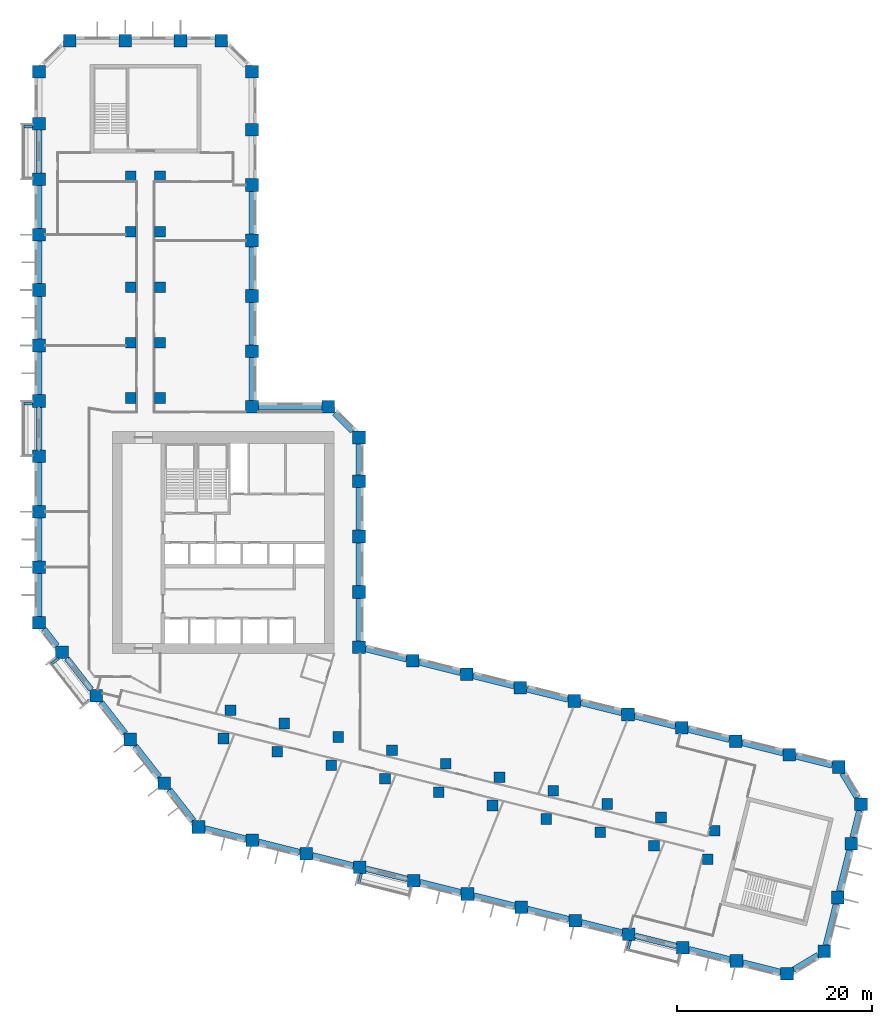
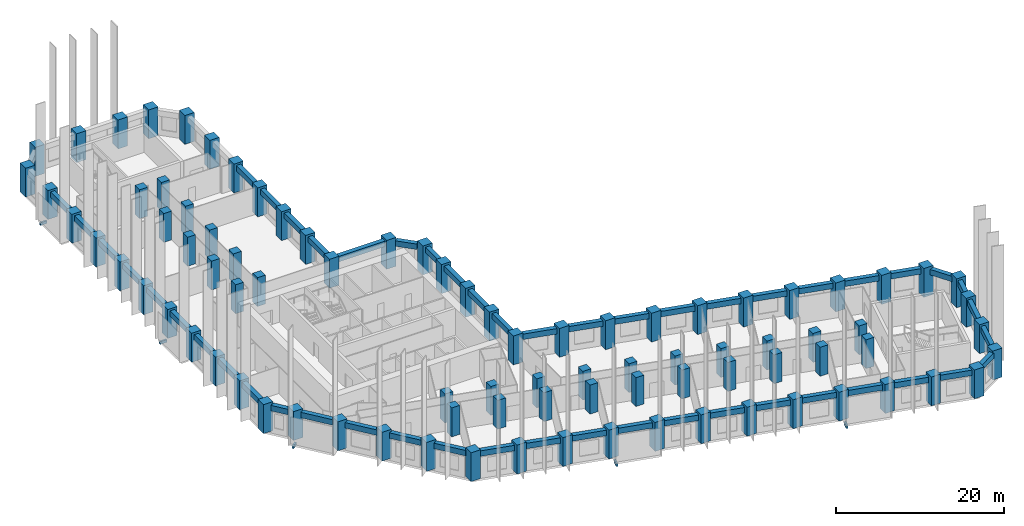
# One storey, part 1 of 10: 87 columns, 54 beams.
"""IFC4 building model written with IfcOpenShell, lengths in metres."""

from ifc_helpers import new_model, si_unit, direction, frame, origin, origin_2d, place, context, subcontext, project, spatial, rectangle, extrude, material, material_profile, profile_set, type_object, element, save


model = new_model("IFC4")

# Units and contexts
model_context = context("Model", 3, precision=1e-05, world=origin(), true_north=direction((0.0, 1.0)))
body_context = subcontext(model_context, "Body", "Model", "MODEL_VIEW")
ifc_project = project(units=[si_unit("LENGTHUNIT", "METRE"), si_unit("AREAUNIT", "SQUARE_METRE"), si_unit("VOLUMEUNIT", "CUBIC_METRE"), si_unit("PLANEANGLEUNIT", "RADIAN"), si_unit("MASSUNIT", "GRAM", prefix="KILO")], contexts=[model_context])

# Site, building, storey
site_placement = place(None, origin())
site = spatial("IfcSite", under=ifc_project, at=site_placement, CompositionType="ELEMENT")
building_placement = place(site_placement, origin())
building = spatial("IfcBuilding", under=site, at=building_placement, Name="Meshkara Civic Tower", CompositionType="ELEMENT")
storey_placement = place(building_placement, frame((0.0, 0.0, 130.800048828125)))
storey = spatial("IfcBuildingStorey", under=building, at=storey_placement, Name="L29", CompositionType="ELEMENT", Elevation=130.800048828125)

# Columns
ifc_material_1 = material(Name="Concrete C70", Category="concrete")
ifc_material_profile_1 = material_profile(ifc_material_1, rectangle(XDim=1.10009765625, YDim=1.10009765625, at=origin_2d()))
ifc_profile_set_1 = profile_set([ifc_material_profile_1], Name="Concrete C70")
column_type_1 = type_object("IfcColumnType", Name="Interior column RC 1100x1100 C70", PredefinedType="COLUMN", material=ifc_profile_set_1)
for number, where, z_axis, x_axis, name in (
    (1, (9.89990234375, 40.35009765625, 0.0), (0.0, 0.0, 1.0), (1.0, 0.0, 0.0), "Column SA1-04 L29"),
    (2, (9.89990234375, 46.050048828125, 0.0), (0.0, 0.0, 1.0), (1.0, 0.0, 0.0), "Column SA1-05 L29"),
    (3, (9.89990234375, 51.75, 0.0), (0.0, 0.0, 1.0), (1.0, 0.0, 0.0), "Column SA1-06 L29"),
    (4, (9.89990234375, 57.449951171875, 0.0), (0.0, 0.0, 1.0), (1.0, 0.0, 0.0), "Column SA1-07 L29"),
    (5, (9.89990234375, 63.14990234375, 0.0), (0.0, 0.0, 1.0), (1.0, 0.0, 0.0), "Column SA1-08 L29"),
    (6, (12.89990234375, 40.35009765625, 0.0), (0.0, 0.0, 1.0), (1.0, 0.0, 0.0), "Column SA2-04 L29"),
    (7, (12.89990234375, 46.050048828125, 0.0), (0.0, 0.0, 1.0), (1.0, 0.0, 0.0), "Column SA2-05 L29"),
    (8, (12.89990234375, 51.75, 0.0), (0.0, 0.0, 1.0), (1.0, 0.0, 0.0), "Column SA2-06 L29"),
    (9, (12.89990234375, 57.449951171875, 0.0), (0.0, 0.0, 1.0), (1.0, 0.0, 0.0), "Column SA2-07 L29"),
    (10, (12.89990234375, 63.14990234375, 0.0), (0.0, 0.0, 1.0), (1.0, 0.0, 0.0), "Column SA2-08 L29"),
    (11, (19.424072265625, 5.360107421875, 0.0), (0.0, 0.0, 1.0), (1.0, 0.0, 0.0), "Column SB1-00 L29"),
    (12, (24.9541015625, 3.98095703125, 0.0), (0.0, 0.0, 1.0), (1.0, 0.0, 0.0), "Column SB1-01 L29"),
    (13, (30.485107421875, 2.60205078125, 0.0), (0.0, 0.0, 1.0), (1.0, 0.0, 0.0), "Column SB1-02 L29"),
    (14, (36.01611328125, 1.222900390625, 0.0), (0.0, 0.0, 1.0), (1.0, 0.0, 0.0), "Column SB1-03 L29"),
    (15, (41.5458984375, -0.156005859375, 0.0), (0.0, 0.0, 1.0), (1.0, 0.0, 0.0), "Column SB1-04 L29"),
    (16, (47.076904296875, -1.534912109375, 0.0), (0.0, 0.0, 1.0), (1.0, 0.0, 0.0), "Column SB1-05 L29"),
    (17, (52.60791015625, -2.9140625, 0.0), (0.0, 0.0, 1.0), (1.0, 0.0, 0.0), "Column SB1-06 L29"),
    (18, (58.138916015625, -4.2919921875, 0.0), (0.0, 0.0, 1.0), (1.0, 0.0, 0.0), "Column SB1-07 L29"),
    (19, (63.6689453125, -5.6708984375, 0.0), (0.0, 0.0, 1.0), (1.0, 0.0, 0.0), "Column SB1-08 L29"),
    (20, (69.199951171875, -7.050048828125, 0.0), (0.0, 0.0, 1.0), (1.0, 0.0, 0.0), "Column SB1-09 L29"),
    (21, (20.14892578125, 8.27099609375, 0.0), (0.0, 0.0, 1.0), (1.0, 0.0, 0.0), "Column SB2-00 L29"),
    (22, (25.679931640625, 6.89208984375, 0.0), (0.0, 0.0, 1.0), (1.0, 0.0, 0.0), "Column SB2-01 L29"),
    (23, (31.2109375, 5.512939453125, 0.0), (0.0, 0.0, 1.0), (1.0, 0.0, 0.0), "Column SB2-02 L29"),
    (24, (36.741943359375, 4.134033203125, 0.0), (0.0, 0.0, 1.0), (1.0, 0.0, 0.0), "Column SB2-03 L29"),
    (25, (42.27197265625, 2.7548828125, 0.0), (0.0, 0.0, 1.0), (1.0, 0.0, 0.0), "Column SB2-04 L29"),
    (26, (47.802978515625, 1.3759765625, 0.0), (0.0, 0.0, 1.0), (1.0, 0.0, 0.0), "Column SB2-05 L29"),
    (27, (53.333984375, -0.0029296875, 0.0), (0.0, 0.0, 1.0), (1.0, 0.0, 0.0), "Column SB2-06 L29"),
    (28, (58.864013671875, -1.382080078125, 0.0), (0.0, 0.0, 1.0), (1.0, 0.0, 0.0), "Column SB2-07 L29"),
    (29, (64.39501953125, -2.760986328125, 0.0), (0.0, 0.0, 1.0), (1.0, 0.0, 0.0), "Column SB2-08 L29"),
    (30, (69.926025390625, -4.139892578125, 0.0), (0.0, 0.0, 1.0), (1.0, 0.0, 0.0), "Column SB2-09 L29"),
):
    element("IfcColumn", number, at=place(storey_placement, frame(where, z_axis=z_axis, x_axis=x_axis)), inside=storey, type_object=column_type_1, Name=name, PredefinedType="COLUMN", context=body_context, shape_type="SweptSolid", body=[
        extrude(rectangle(XDim=1.10009765625, YDim=1.10009765625, at=origin_2d()), origin(), (0.0, 0.0, 1.0), 4.199951171875),
    ])
ifc_material_2 = material(Name="Concrete C70", Category="concrete")
ifc_material_profile_2 = material_profile(ifc_material_2, rectangle(XDim=1.300048828125, YDim=1.300048828125, at=origin_2d()))
ifc_profile_set_2 = profile_set([ifc_material_profile_2], Name="Concrete C70")
column_type_2 = type_object("IfcColumnType", Name="Perimeter column RC 1300x1300 C70", PredefinedType="COLUMN", material=ifc_profile_set_2)
for number, where, z_axis, x_axis, name in (
    (31, (33.35009765625, 14.718994140625, 0.0), (0.0, 0.0, 1.0), (1.0, 0.0, 0.0), "Column HE00 L29"),
    (32, (33.35009765625, 20.4189453125, 0.0), (0.0, 0.0, 1.0), (1.0, 0.0, 0.0), "Column HE01 L29"),
    (33, (33.35009765625, 26.118896484375, 0.0), (0.0, 0.0, 1.0), (1.0, 0.0, 0.0), "Column HE02 L29"),
    (34, (33.35009765625, 31.819091796875, 0.0), (0.0, 0.0, 1.0), (1.0, 0.0, 0.0), "Column HE03 L29"),
    (35, (33.35009765625, 36.2939453125, 0.0), (0.0, 0.0, 1.0), (1.0, 0.0, 0.0), "Column HEE L29"),
    (36, (30.194091796875, 39.449951171875, 0.0), (0.0, 0.0, 1.0), (1.0, 0.0, 0.0), "Column HCeE L29"),
    (37, (22.35009765625, 39.449951171875, 0.0), (0.0, 0.0, 1.0), (1.0, 0.0, 0.0), "Column HN00 L29"),
    (38, (22.35009765625, 45.14990234375, 0.0), (0.0, 0.0, 1.0), (1.0, 0.0, 0.0), "Column AE01 L29"),
    (39, (22.35009765625, 50.85009765625, 0.0), (0.0, 0.0, 1.0), (1.0, 0.0, 0.0), "Column AE02 L29"),
    (40, (22.35009765625, 56.550048828125, 0.0), (0.0, 0.0, 1.0), (1.0, 0.0, 0.0), "Column AE03 L29"),
    (41, (22.35009765625, 62.25, 0.0), (0.0, 0.0, 1.0), (1.0, 0.0, 0.0), "Column AE04 L29"),
    (42, (22.35009765625, 67.949951171875, 0.0), (0.0, 0.0, 1.0), (1.0, 0.0, 0.0), "Column AE05 L29"),
    (43, (22.35009765625, 73.9140625, 0.0), (0.0, 0.0, 1.0), (1.0, 0.0, 0.0), "Column AEEP1 L29"),
    (44, (19.194091796875, 77.070068359375, 0.0), (0.0, 0.0, 1.0), (1.0, 0.0, 0.0), "Column ATiEP1 L29"),
    (45, (3.60595703125, 77.070068359375, 0.0), (0.0, 0.0, 1.0), (1.0, 0.0, 0.0), "Column AT00-P1 L29"),
    (46, (9.305908203125, 77.070068359375, 0.0), (0.0, 0.0, 1.0), (1.0, 0.0, 0.0), "Column AT01-P1 L29"),
    (47, (15.006103515625, 77.070068359375, 0.0), (0.0, 0.0, 1.0), (1.0, 0.0, 0.0), "Column AT02-P1 L29"),
    (48, (0.449951171875, 73.9140625, 0.0), (0.0, 0.0, 1.0), (1.0, 0.0, 0.0), "Column ATo00-P1 L29"),
    (49, (0.449951171875, 17.2548828125, 0.0), (0.0, 0.0, 1.0), (1.0, 0.0, 0.0), "Column AW00 L29"),
    (50, (0.449951171875, 22.955078125, 0.0), (0.0, 0.0, 1.0), (1.0, 0.0, 0.0), "Column AW01 L29"),
    (51, (0.449951171875, 28.655029296875, 0.0), (0.0, 0.0, 1.0), (1.0, 0.0, 0.0), "Column AW02 L29"),
    (52, (0.449951171875, 34.35498046875, 0.0), (0.0, 0.0, 1.0), (1.0, 0.0, 0.0), "Column AW03 L29"),
    (53, (0.449951171875, 40.054931640625, 0.0), (0.0, 0.0, 1.0), (1.0, 0.0, 0.0), "Column AW04 L29"),
    (54, (0.449951171875, 45.7548828125, 0.0), (0.0, 0.0, 1.0), (1.0, 0.0, 0.0), "Column AW05 L29"),
    (55, (0.449951171875, 51.455078125, 0.0), (0.0, 0.0, 1.0), (1.0, 0.0, 0.0), "Column AW06 L29"),
    (56, (0.449951171875, 57.155029296875, 0.0), (0.0, 0.0, 1.0), (1.0, 0.0, 0.0), "Column AW07 L29"),
    (57, (0.449951171875, 62.85498046875, 0.0), (0.0, 0.0, 1.0), (1.0, 0.0, 0.0), "Column AW08 L29"),
    (58, (0.449951171875, 68.554931640625, 0.0), (0.0, 0.0, 1.0), (1.0, 0.0, 0.0), "Column AW09 L29"),
    (59, (16.85107421875, -3.738037109375, 0.0), (0.0, 0.0, 1.0), (1.0, 0.0, 0.0), "Column BOW00 L29"),
    (60, (13.342041015625, 0.75390625, 0.0), (0.0, 0.0, 1.0), (1.0, 0.0, 0.0), "Column BOW01 L29"),
    (61, (9.8330078125, 5.2451171875, 0.0), (0.0, 0.0, 1.0), (1.0, 0.0, 0.0), "Column BOW02 L29"),
    (62, (6.322998046875, 9.737060546875, 0.0), (0.0, 0.0, 1.0), (1.0, 0.0, 0.0), "Column BOW03 L29"),
    (63, (2.81396484375, 14.22900390625, 0.0), (0.0, 0.0, 1.0), (1.0, 0.0, 0.0), "Column BOW04 L29"),
    (64, (22.382080078125, -5.116943359375, 0.0), (0.0, 0.0, 1.0), (1.0, 0.0, 0.0), "Column BS01 L29"),
    (65, (27.912109375, -6.49609375, 0.0), (0.0, 0.0, 1.0), (1.0, 0.0, 0.0), "Column BS02 L29"),
    (66, (33.443115234375, -7.875, 0.0), (0.0, 0.0, 1.0), (1.0, 0.0, 0.0), "Column BS03 L29"),
    (67, (38.97412109375, -9.2529296875, 0.0), (0.0, 0.0, 1.0), (1.0, 0.0, 0.0), "Column BS04-P1 L29"),
    (68, (44.5048828125, -10.632080078125, 0.0), (0.0, 0.0, 1.0), (1.0, 0.0, 0.0), "Column BS05 L29"),
    (69, (50.034912109375, -12.010986328125, 0.0), (0.0, 0.0, 1.0), (1.0, 0.0, 0.0), "Column BS06 L29"),
    (70, (55.56591796875, -13.389892578125, 0.0), (0.0, 0.0, 1.0), (1.0, 0.0, 0.0), "Column BS07 L29"),
    (71, (61.096923828125, -14.76904296875, 0.0), (0.0, 0.0, 1.0), (1.0, 0.0, 0.0), "Column BS08 L29"),
    (72, (66.626953125, -16.14794921875, 0.0), (0.0, 0.0, 1.0), (1.0, 0.0, 0.0), "Column BS09 L29"),
    (73, (72.157958984375, -17.527099609375, 0.0), (0.0, 0.0, 1.0), (1.0, 0.0, 0.0), "Column BS10 L29"),
    (74, (77.35791015625, -18.822998046875, 0.0), (0.0, 0.0, 1.0), (1.0, 0.0, 0.0), "Column BSEP1 L29"),
    (75, (81.18310546875, -16.52392578125, 0.0), (0.0, 0.0, 1.0), (1.0, 0.0, 0.0), "Column BToEP1 L29"),
    (76, (82.56201171875, -10.992919921875, 0.0), (0.0, 0.0, 1.0), (1.0, 0.0, 0.0), "Column BT01-P1 L29"),
    (77, (83.94091796875, -5.462890625, 0.0), (0.0, 0.0, 1.0), (1.0, 0.0, 0.0), "Column BT02-P1 L29"),
    (78, (84.9541015625, -1.39990234375, 0.0), (0.0, 0.0, 1.0), (1.0, 0.0, 0.0), "Column BTEP1 L29"),
    (79, (82.655029296875, 2.425048828125, 0.0), (0.0, 0.0, 1.0), (1.0, 0.0, 0.0), "Column BTi00-P1 L29"),
    (80, (38.881103515625, 13.340087890625, 0.0), (0.0, 0.0, 1.0), (1.0, 0.0, 0.0), "Column BN01 L29"),
    (81, (44.410888671875, 11.9609375, 0.0), (0.0, 0.0, 1.0), (1.0, 0.0, 0.0), "Column BN02 L29"),
    (82, (49.94189453125, 10.58203125, 0.0), (0.0, 0.0, 1.0), (1.0, 0.0, 0.0), "Column BN03 L29"),
    (83, (55.472900390625, 9.202880859375, 0.0), (0.0, 0.0, 1.0), (1.0, 0.0, 0.0), "Column BN04 L29"),
    (84, (61.0029296875, 7.823974609375, 0.0), (0.0, 0.0, 1.0), (1.0, 0.0, 0.0), "Column BN05 L29"),
    (85, (66.533935546875, 6.445068359375, 0.0), (0.0, 0.0, 1.0), (1.0, 0.0, 0.0), "Column BN06 L29"),
    (86, (72.06494140625, 5.06591796875, 0.0), (0.0, 0.0, 1.0), (1.0, 0.0, 0.0), "Column BN07 L29"),
    (87, (77.594970703125, 3.68701171875, 0.0), (0.0, 0.0, 1.0), (1.0, 0.0, 0.0), "Column BN08 L29"),
):
    element("IfcColumn", number, at=place(storey_placement, frame(where, z_axis=z_axis, x_axis=x_axis)), inside=storey, type_object=column_type_2, Name=name, PredefinedType="COLUMN", context=body_context, shape_type="SweptSolid", body=[
        extrude(rectangle(XDim=1.300048828125, YDim=1.300048828125, at=origin_2d()), origin(), (0.0, 0.0, 1.0), 4.199951171875),
    ])

# Beams
ifc_material_3 = material(Name="Concrete C50", Category="concrete")
ifc_material_profile_3 = material_profile(ifc_material_3, rectangle(XDim=0.25, YDim=0.39990234375, at=origin_2d()))
ifc_profile_set_3 = profile_set([ifc_material_profile_3], Name="Concrete C50")
beam_type_1 = type_object("IfcBeamType", Name="Balcony bracket beam RC 250x400 C50", PredefinedType="BEAM", material=ifc_profile_set_3)
for number, where, z_axis, x_axis, name in (
    (88, (-0.195068359375, 68.2548828125, -0.5), (-1.0, 0.0, 0.0), (0.0, -1.0, 0.0), "Balcony bracket beam"),
    (89, (-0.195068359375, 39.7548828125, -0.5), (-1.0, 0.0, 0.0), (0.0, -1.0, 0.0), "Balcony bracket beam"),
):
    element("IfcBeam", number, at=place(storey_placement, frame(where, z_axis=z_axis, x_axis=x_axis)), inside=storey, type_object=beam_type_1, Name=name, PredefinedType="BEAM", context=body_context, shape_type="SweptSolid", body=[
        extrude(rectangle(XDim=0.25, YDim=0.39990234375, at=origin_2d()), origin(), (0.0, 0.0, 1.0), 0.905029296875),
    ])
beam_1_placement = place(storey_placement, frame((2.472900390625, 13.58203125, -0.5), z_axis=(-0.787831553438, -0.615890772302, 0.0), x_axis=(0.615890772302, -0.787831553438, 0.0)))
element("IfcBeam", 90, at=beam_1_placement, inside=storey, type_object=beam_type_1, Name="Balcony bracket beam", PredefinedType="BEAM", context=body_context, shape_type="SweptSolid", body=[
    extrude(rectangle(XDim=0.25, YDim=0.39990234375, at=origin_2d()), origin(), (0.0, 0.0, 1.0), 0.88330078125),
])
beam_2_placement = place(storey_placement, frame((33.591064453125, -8.52001953125, -0.5), z_axis=(-0.24199671944, -0.970277067533, 0.0), x_axis=(0.970277067533, -0.24199671944, 0.0)))
element("IfcBeam", 91, at=beam_2_placement, inside=storey, type_object=beam_type_1, Name="Balcony bracket beam", PredefinedType="BEAM", context=body_context, shape_type="SweptSolid", body=[
    extrude(rectangle(XDim=0.25, YDim=0.39990234375, at=origin_2d()), origin(), (0.0, 0.0, 1.0), 0.95947265625),
])
beam_3_placement = place(storey_placement, frame((61.2451171875, -15.4140625, -0.5), z_axis=(-0.241757949961, -0.970336587804, 0.0), x_axis=(0.970336587804, -0.241757949961, 0.0)))
element("IfcBeam", 92, at=beam_3_placement, inside=storey, type_object=beam_type_1, Name="Balcony bracket beam", PredefinedType="BEAM", context=body_context, shape_type="SweptSolid", body=[
    extrude(rectangle(XDim=0.25, YDim=0.39990234375, at=origin_2d()), origin(), (0.0, 0.0, 1.0), 0.96044921875),
])
ifc_material_4 = material(Name="Concrete C70", Category="concrete")
ifc_material_profile_4 = material_profile(ifc_material_4, rectangle(XDim=0.60009765625, YDim=0.800048828125, at=origin_2d()))
ifc_profile_set_4 = profile_set([ifc_material_profile_4], Name="Concrete C70")
beam_type_2 = type_object("IfcBeamType", Name="Spandrel beam RC 600x800 C70", PredefinedType="BEAM", material=ifc_profile_set_4)
beam_4_placement = place(storey_placement, frame((76.949951171875, 3.847900390625, 3.5), z_axis=(-0.970293497888, 0.241930832999, 0.0), x_axis=(-0.241930832999, -0.970293497888, 0.0)))
element("IfcBeam", 93, at=beam_4_placement, inside=storey, type_object=beam_type_2, Name="Spandrel beam BN07-BN08", PredefinedType="BEAM", context=body_context, shape_type="SweptSolid", body=[
    extrude(rectangle(XDim=0.60009765625, YDim=0.800048828125, at=origin_2d()), origin(), (0.0, 0.0, 1.0), 4.36962890625),
])
for number, where, z_axis, x_axis, name in (
    (94, (71.419921875, 5.226806640625, 3.5), (-0.970293463154, 0.241930972304, 0.0), (-0.241930972304, -0.970293463154, 0.0), "Spandrel beam BN06-BN07"),
    (95, (65.888916015625, 6.605712890625, 3.5), (-0.970293463154, 0.241930972304, 0.0), (-0.241930972304, -0.970293463154, 0.0), "Spandrel beam BN05-BN06"),
):
    element("IfcBeam", number, at=place(storey_placement, frame(where, z_axis=z_axis, x_axis=x_axis)), inside=storey, type_object=beam_type_2, Name=name, PredefinedType="BEAM", context=body_context, shape_type="SweptSolid", body=[
        extrude(rectangle(XDim=0.60009765625, YDim=0.800048828125, at=origin_2d()), origin(), (0.0, 0.0, 1.0), 4.37060546875),
    ])
beam_5_placement = place(storey_placement, frame((60.35791015625, 7.98486328125, 3.5), z_axis=(-0.970293497888, 0.241930832999, 0.0), x_axis=(-0.241930832999, -0.970293497888, 0.0)))
element("IfcBeam", 96, at=beam_5_placement, inside=storey, type_object=beam_type_2, Name="Spandrel beam BN04-BN05", PredefinedType="BEAM", context=body_context, shape_type="SweptSolid", body=[
    extrude(rectangle(XDim=0.60009765625, YDim=0.800048828125, at=origin_2d()), origin(), (0.0, 0.0, 1.0), 4.36962890625),
])
for number, where, z_axis, x_axis, name in (
    (97, (54.827880859375, 9.36376953125, 3.5), (-0.970293463154, 0.241930972304, 0.0), (-0.241930972304, -0.970293463154, 0.0), "Spandrel beam BN03-BN04"),
    (98, (49.296875, 10.742919921875, 3.5), (-0.970293463154, 0.241930972304, 0.0), (-0.241930972304, -0.970293463154, 0.0), "Spandrel beam BN02-BN03"),
):
    element("IfcBeam", number, at=place(storey_placement, frame(where, z_axis=z_axis, x_axis=x_axis)), inside=storey, type_object=beam_type_2, Name=name, PredefinedType="BEAM", context=body_context, shape_type="SweptSolid", body=[
        extrude(rectangle(XDim=0.60009765625, YDim=0.800048828125, at=origin_2d()), origin(), (0.0, 0.0, 1.0), 4.37060546875),
    ])
beam_6_placement = place(storey_placement, frame((43.765869140625, 12.121826171875, 3.5), z_axis=(-0.970280380753, 0.241983434817, 0.0), x_axis=(-0.241983434817, -0.970280380753, 0.0)))
element("IfcBeam", 99, at=beam_6_placement, inside=storey, type_object=beam_type_2, Name="Spandrel beam BN01-BN02", PredefinedType="BEAM", context=body_context, shape_type="SweptSolid", body=[
    extrude(rectangle(XDim=0.60009765625, YDim=0.800048828125, at=origin_2d()), origin(), (0.0, 0.0, 1.0), 4.36962890625),
])
beam_7_placement = place(storey_placement, frame((38.23583984375, 13.500732421875, 3.5), z_axis=(-0.970293463154, 0.241930972304, 0.0), x_axis=(-0.241930972304, -0.970293463154, 0.0)))
element("IfcBeam", 100, at=beam_7_placement, inside=storey, type_object=beam_type_2, Name="Spandrel beam BN01-HE00", PredefinedType="BEAM", context=body_context, shape_type="SweptSolid", body=[
    extrude(rectangle(XDim=0.60009765625, YDim=0.800048828125, at=origin_2d()), origin(), (0.0, 0.0, 1.0), 4.37060546875),
])
beam_8_placement = place(storey_placement, frame((33.35009765625, 15.364013671875, 3.5), z_axis=(0.0, 1.0, 0.0), x_axis=(-1.0, 0.0, 0.0)))
element("IfcBeam", 101, at=beam_8_placement, inside=storey, type_object=beam_type_2, Name="Spandrel beam HE00-HE01", PredefinedType="BEAM", context=body_context, shape_type="SweptSolid", body=[
    extrude(rectangle(XDim=0.60009765625, YDim=0.800048828125, at=origin_2d()), origin(), (0.0, 0.0, 1.0), 4.409912109375),
])
for number, where, z_axis, x_axis, name in (
    (102, (33.35009765625, 21.06396484375, 3.5), (0.0, 1.0, 0.0), (-1.0, 0.0, 0.0), "Spandrel beam HE01-HE02"),
    (103, (33.35009765625, 26.763916015625, 3.5), (0.0, 1.0, 0.0), (-1.0, 0.0, 0.0), "Spandrel beam HE02-HE03"),
):
    element("IfcBeam", number, at=place(storey_placement, frame(where, z_axis=z_axis, x_axis=x_axis)), inside=storey, type_object=beam_type_2, Name=name, PredefinedType="BEAM", context=body_context, shape_type="SweptSolid", body=[
        extrude(rectangle(XDim=0.60009765625, YDim=0.800048828125, at=origin_2d()), origin(), (0.0, 0.0, 1.0), 4.41015625),
    ])
beam_9_placement = place(storey_placement, frame((33.35009765625, 32.464111328125, 3.5), z_axis=(0.0, 1.0, 0.0), x_axis=(-1.0, 0.0, 0.0)))
element("IfcBeam", 104, at=beam_9_placement, inside=storey, type_object=beam_type_2, Name="Spandrel beam HE03-HEE", PredefinedType="BEAM", context=body_context, shape_type="SweptSolid", body=[
    extrude(rectangle(XDim=0.60009765625, YDim=0.800048828125, at=origin_2d()), origin(), (0.0, 0.0, 1.0), 3.184814453125),
])
beam_10_placement = place(storey_placement, frame((32.70361328125, 36.9404296875, 3.5), z_axis=(-0.707106781187, 0.707106781187, 0.0), x_axis=(-0.707106781187, -0.707106781187, 0.0)))
element("IfcBeam", 105, at=beam_10_placement, inside=storey, type_object=beam_type_2, Name="Spandrel beam HCeE-HEE", PredefinedType="BEAM", context=body_context, shape_type="SweptSolid", body=[
    extrude(rectangle(XDim=0.60009765625, YDim=0.800048828125, at=origin_2d()), origin(), (0.0, 0.0, 1.0), 2.634765625),
])
beam_11_placement = place(storey_placement, frame((29.549072265625, 39.449951171875, 3.5), z_axis=(-1.0, 0.0, 0.0), x_axis=(0.0, -1.0, 0.0)))
element("IfcBeam", 106, at=beam_11_placement, inside=storey, type_object=beam_type_2, Name="Spandrel beam HCeE-HN00", PredefinedType="BEAM", context=body_context, shape_type="SweptSolid", body=[
    extrude(rectangle(XDim=0.60009765625, YDim=0.800048828125, at=origin_2d()), origin(), (0.0, 0.0, 1.0), 6.553955078125),
])
beam_12_placement = place(storey_placement, frame((22.35009765625, 40.094970703125, 3.5), z_axis=(0.0, 1.0, 0.0), x_axis=(-1.0, 0.0, 0.0)))
element("IfcBeam", 107, at=beam_12_placement, inside=storey, type_object=beam_type_2, Name="Spandrel beam AE01-HN00", PredefinedType="BEAM", context=body_context, shape_type="SweptSolid", body=[
    extrude(rectangle(XDim=0.60009765625, YDim=0.800048828125, at=origin_2d()), origin(), (0.0, 0.0, 1.0), 4.409912109375),
])
beam_13_placement = place(storey_placement, frame((22.35009765625, 45.794921875, 3.5), z_axis=(0.0, 1.0, 0.0), x_axis=(-1.0, 0.0, 0.0)))
element("IfcBeam", 108, at=beam_13_placement, inside=storey, type_object=beam_type_2, Name="Spandrel beam AE01-AE02", PredefinedType="BEAM", context=body_context, shape_type="SweptSolid", body=[
    extrude(rectangle(XDim=0.60009765625, YDim=0.800048828125, at=origin_2d()), origin(), (0.0, 0.0, 1.0), 4.41015625),
])
for number, where, z_axis, x_axis, name in (
    (109, (22.35009765625, 51.4951171875, 3.5), (0.0, 1.0, 0.0), (-1.0, 0.0, 0.0), "Spandrel beam AE02-AE03"),
    (110, (22.35009765625, 57.195068359375, 3.5), (0.0, 1.0, 0.0), (-1.0, 0.0, 0.0), "Spandrel beam AE03-AE04"),
    (111, (0.449951171875, 67.909912109375, 3.5), (0.0, -1.0, 0.0), (1.0, 0.0, 0.0), "Spandrel beam AW08-AW09"),
    (112, (0.449951171875, 62.2099609375, 3.5), (0.0, -1.0, 0.0), (1.0, 0.0, 0.0), "Spandrel beam AW07-AW08"),
    (113, (0.449951171875, 56.510009765625, 3.5), (0.0, -1.0, 0.0), (1.0, 0.0, 0.0), "Spandrel beam AW06-AW07"),
):
    element("IfcBeam", number, at=place(storey_placement, frame(where, z_axis=z_axis, x_axis=x_axis)), inside=storey, type_object=beam_type_2, Name=name, PredefinedType="BEAM", context=body_context, shape_type="SweptSolid", body=[
        extrude(rectangle(XDim=0.60009765625, YDim=0.800048828125, at=origin_2d()), origin(), (0.0, 0.0, 1.0), 4.409912109375),
    ])
for number, where, z_axis, x_axis, name in (
    (114, (0.449951171875, 50.81005859375, 3.5), (0.0, -1.0, 0.0), (1.0, 0.0, 0.0), "Spandrel beam AW05-AW06"),
    (115, (0.449951171875, 45.110107421875, 3.5), (0.0, -1.0, 0.0), (1.0, 0.0, 0.0), "Spandrel beam AW04-AW05"),
):
    element("IfcBeam", number, at=place(storey_placement, frame(where, z_axis=z_axis, x_axis=x_axis)), inside=storey, type_object=beam_type_2, Name=name, PredefinedType="BEAM", context=body_context, shape_type="SweptSolid", body=[
        extrude(rectangle(XDim=0.60009765625, YDim=0.800048828125, at=origin_2d()), origin(), (0.0, 0.0, 1.0), 4.41015625),
    ])
for number, where, z_axis, x_axis, name in (
    (116, (0.449951171875, 39.409912109375, 3.5), (0.0, -1.0, 0.0), (1.0, 0.0, 0.0), "Spandrel beam AW03-AW04"),
    (117, (0.449951171875, 33.7099609375, 3.5), (0.0, -1.0, 0.0), (1.0, 0.0, 0.0), "Spandrel beam AW02-AW03"),
    (118, (0.449951171875, 28.010009765625, 3.5), (0.0, -1.0, 0.0), (1.0, 0.0, 0.0), "Spandrel beam AW01-AW02"),
):
    element("IfcBeam", number, at=place(storey_placement, frame(where, z_axis=z_axis, x_axis=x_axis)), inside=storey, type_object=beam_type_2, Name=name, PredefinedType="BEAM", context=body_context, shape_type="SweptSolid", body=[
        extrude(rectangle(XDim=0.60009765625, YDim=0.800048828125, at=origin_2d()), origin(), (0.0, 0.0, 1.0), 4.409912109375),
    ])
beam_14_placement = place(storey_placement, frame((0.449951171875, 22.31005859375, 3.5), z_axis=(0.0, -1.0, 0.0), x_axis=(1.0, 0.0, 0.0)))
element("IfcBeam", 119, at=beam_14_placement, inside=storey, type_object=beam_type_2, Name="Spandrel beam AW00-AW01", PredefinedType="BEAM", context=body_context, shape_type="SweptSolid", body=[
    extrude(rectangle(XDim=0.60009765625, YDim=0.800048828125, at=origin_2d()), origin(), (0.0, 0.0, 1.0), 4.41015625),
])
beam_15_placement = place(storey_placement, frame((0.95458984375, 16.60888671875, 3.5), z_axis=(0.61568279769, -0.787994094286, 0.0), x_axis=(0.787994094286, 0.61568279769, 0.0)))
element("IfcBeam", 120, at=beam_15_placement, inside=storey, type_object=beam_type_2, Name="Spandrel beam AW00-BOW04", PredefinedType="BEAM", context=body_context, shape_type="SweptSolid", body=[
    extrude(rectangle(XDim=0.60009765625, YDim=0.800048828125, at=origin_2d()), origin(), (0.0, 0.0, 1.0), 2.200439453125),
])
beam_16_placement = place(storey_placement, frame((3.318603515625, 13.5830078125, 3.5), z_axis=(0.615612539127, -0.788048984309, 0.0), x_axis=(0.788048984309, 0.615612539127, 0.0)))
element("IfcBeam", 121, at=beam_16_placement, inside=storey, type_object=beam_type_2, Name="Spandrel beam BOW03-BOW04", PredefinedType="BEAM", context=body_context, shape_type="SweptSolid", body=[
    extrude(rectangle(XDim=0.60009765625, YDim=0.800048828125, at=origin_2d()), origin(), (0.0, 0.0, 1.0), 4.060546875),
])
beam_17_placement = place(storey_placement, frame((6.827880859375, 9.0908203125, 3.5), z_axis=(0.615716376188, -0.787967857272, 0.0), x_axis=(0.787967857272, 0.615716376188, 0.0)))
element("IfcBeam", 122, at=beam_17_placement, inside=storey, type_object=beam_type_2, Name="Spandrel beam BOW02-BOW03", PredefinedType="BEAM", context=body_context, shape_type="SweptSolid", body=[
    extrude(rectangle(XDim=0.60009765625, YDim=0.800048828125, at=origin_2d()), origin(), (0.0, 0.0, 1.0), 4.060791015625),
])
beam_18_placement = place(storey_placement, frame((10.337890625, 4.598876953125, 3.5), z_axis=(0.61568372316, -0.787993371188, 0.0), x_axis=(0.787993371188, 0.61568372316, 0.0)))
element("IfcBeam", 123, at=beam_18_placement, inside=storey, type_object=beam_type_2, Name="Spandrel beam BOW01-BOW02", PredefinedType="BEAM", context=body_context, shape_type="SweptSolid", body=[
    extrude(rectangle(XDim=0.60009765625, YDim=0.800048828125, at=origin_2d()), origin(), (0.0, 0.0, 1.0), 4.059326171875),
])
beam_19_placement = place(storey_placement, frame((13.8466796875, 0.10791015625, 3.5), z_axis=(0.615604368214, -0.78805536724, 0.0), x_axis=(0.78805536724, 0.615604368214, 0.0)))
element("IfcBeam", 124, at=beam_19_placement, inside=storey, type_object=beam_type_2, Name="Spandrel beam BOW00-BOW01", PredefinedType="BEAM", context=body_context, shape_type="SweptSolid", body=[
    extrude(rectangle(XDim=0.60009765625, YDim=0.800048828125, at=origin_2d()), origin(), (0.0, 0.0, 1.0), 4.060302734375),
])
beam_20_placement = place(storey_placement, frame((17.49609375, -3.898681640625, 3.5), z_axis=(0.970280349033, -0.241983562004, 0.0), x_axis=(0.241983562004, 0.970280349033, 0.0)))
element("IfcBeam", 125, at=beam_20_placement, inside=storey, type_object=beam_type_2, Name="Spandrel beam BOW00-BS01", PredefinedType="BEAM", context=body_context, shape_type="SweptSolid", body=[
    extrude(rectangle(XDim=0.60009765625, YDim=0.800048828125, at=origin_2d()), origin(), (0.0, 0.0, 1.0), 4.37060546875),
])
beam_21_placement = place(storey_placement, frame((23.027099609375, -5.27783203125, 3.5), z_axis=(0.970280380753, -0.241983434817, 0.0), x_axis=(0.241983434817, 0.970280380753, 0.0)))
element("IfcBeam", 126, at=beam_21_placement, inside=storey, type_object=beam_type_2, Name="Spandrel beam BS01-BS02", PredefinedType="BEAM", context=body_context, shape_type="SweptSolid", body=[
    extrude(rectangle(XDim=0.60009765625, YDim=0.800048828125, at=origin_2d()), origin(), (0.0, 0.0, 1.0), 4.36962890625),
])
beam_22_placement = place(storey_placement, frame((28.55712890625, -6.65673828125, 3.5), z_axis=(0.970293463154, -0.241930972304, 0.0), x_axis=(0.241930972304, 0.970293463154, 0.0)))
element("IfcBeam", 127, at=beam_22_placement, inside=storey, type_object=beam_type_2, Name="Spandrel beam BS02-BS03", PredefinedType="BEAM", context=body_context, shape_type="SweptSolid", body=[
    extrude(rectangle(XDim=0.60009765625, YDim=0.800048828125, at=origin_2d()), origin(), (0.0, 0.0, 1.0), 4.37060546875),
])
beam_23_placement = place(storey_placement, frame((34.088134765625, -8.03564453125, 3.5), z_axis=(0.97033279054, -0.241773190412, 0.0), x_axis=(0.241773190412, 0.97033279054, 0.0)))
element("IfcBeam", 128, at=beam_23_placement, inside=storey, type_object=beam_type_2, Name="Spandrel beam BS03-BS04-P1", PredefinedType="BEAM", context=body_context, shape_type="SweptSolid", body=[
    extrude(rectangle(XDim=0.60009765625, YDim=0.800048828125, at=origin_2d()), origin(), (0.0, 0.0, 1.0), 4.370361328125),
])
beam_24_placement = place(storey_placement, frame((39.619140625, -9.413818359375, 3.5), z_axis=(0.970293463154, -0.241930972304, 0.0), x_axis=(0.241930972304, 0.970293463154, 0.0)))
element("IfcBeam", 129, at=beam_24_placement, inside=storey, type_object=beam_type_2, Name="Spandrel beam BS04-P1-BS05", PredefinedType="BEAM", context=body_context, shape_type="SweptSolid", body=[
    extrude(rectangle(XDim=0.60009765625, YDim=0.800048828125, at=origin_2d()), origin(), (0.0, 0.0, 1.0), 4.37060546875),
])
beam_25_placement = place(storey_placement, frame((45.150146484375, -10.79296875, 3.5), z_axis=(0.970293497888, -0.241930832999, 0.0), x_axis=(0.241930832999, 0.970293497888, 0.0)))
element("IfcBeam", 130, at=beam_25_placement, inside=storey, type_object=beam_type_2, Name="Spandrel beam BS05-BS06", PredefinedType="BEAM", context=body_context, shape_type="SweptSolid", body=[
    extrude(rectangle(XDim=0.60009765625, YDim=0.800048828125, at=origin_2d()), origin(), (0.0, 0.0, 1.0), 4.36962890625),
])
for number, where, z_axis, x_axis, name in (
    (131, (50.68017578125, -12.171875, 3.5), (0.970293463154, -0.241930972304, 0.0), (0.241930972304, 0.970293463154, 0.0), "Spandrel beam BS06-BS07"),
    (132, (56.211181640625, -13.55078125, 3.5), (0.970293463154, -0.241930972304, 0.0), (0.241930972304, 0.970293463154, 0.0), "Spandrel beam BS07-BS08"),
):
    element("IfcBeam", number, at=place(storey_placement, frame(where, z_axis=z_axis, x_axis=x_axis)), inside=storey, type_object=beam_type_2, Name=name, PredefinedType="BEAM", context=body_context, shape_type="SweptSolid", body=[
        extrude(rectangle(XDim=0.60009765625, YDim=0.800048828125, at=origin_2d()), origin(), (0.0, 0.0, 1.0), 4.37060546875),
    ])
beam_26_placement = place(storey_placement, frame((61.7421875, -14.929931640625, 3.5), z_axis=(0.970293497888, -0.241930832999, 0.0), x_axis=(0.241930832999, 0.970293497888, 0.0)))
element("IfcBeam", 133, at=beam_26_placement, inside=storey, type_object=beam_type_2, Name="Spandrel beam BS08-BS09", PredefinedType="BEAM", context=body_context, shape_type="SweptSolid", body=[
    extrude(rectangle(XDim=0.60009765625, YDim=0.800048828125, at=origin_2d()), origin(), (0.0, 0.0, 1.0), 4.36962890625),
])
beam_27_placement = place(storey_placement, frame((67.272216796875, -16.308837890625, 3.5), z_axis=(0.970293463154, -0.241930972304, 0.0), x_axis=(0.241930972304, 0.970293463154, 0.0)))
element("IfcBeam", 134, at=beam_27_placement, inside=storey, type_object=beam_type_2, Name="Spandrel beam BS09-BS10", PredefinedType="BEAM", context=body_context, shape_type="SweptSolid", body=[
    extrude(rectangle(XDim=0.60009765625, YDim=0.800048828125, at=origin_2d()), origin(), (0.0, 0.0, 1.0), 4.37060546875),
])
beam_28_placement = place(storey_placement, frame((72.802978515625, -17.687744140625, 3.5), z_axis=(0.970323993045, -0.241808495551, 0.0), x_axis=(0.241808495551, 0.970323993045, 0.0)))
element("IfcBeam", 135, at=beam_28_placement, inside=storey, type_object=beam_type_2, Name="Spandrel beam BS10-BSEP1", PredefinedType="BEAM", context=body_context, shape_type="SweptSolid", body=[
    extrude(rectangle(XDim=0.60009765625, YDim=0.800048828125, at=origin_2d()), origin(), (0.0, 0.0, 1.0), 4.029541015625),
])
beam_29_placement = place(storey_placement, frame((78.003662109375, -18.434814453125, 3.5), z_axis=(0.857121046107, 0.515115047655, 0.0), x_axis=(-0.515115047655, 0.857121046107, 0.0)))
element("IfcBeam", 136, at=beam_29_placement, inside=storey, type_object=beam_type_2, Name="Spandrel beam BSEP1-BToEP1", PredefinedType="BEAM", context=body_context, shape_type="SweptSolid", body=[
    extrude(rectangle(XDim=0.60009765625, YDim=0.800048828125, at=origin_2d()), origin(), (0.0, 0.0, 1.0), 2.9560546875),
])
beam_30_placement = place(storey_placement, frame((81.34375, -15.87890625, 3.5), z_axis=(0.241930972304, 0.970293463154, 0.0), x_axis=(-0.970293463154, 0.241930972304, 0.0)))
element("IfcBeam", 137, at=beam_30_placement, inside=storey, type_object=beam_type_2, Name="Spandrel beam BT01-P1-BToEP1", PredefinedType="BEAM", context=body_context, shape_type="SweptSolid", body=[
    extrude(rectangle(XDim=0.60009765625, YDim=0.800048828125, at=origin_2d()), origin(), (0.0, 0.0, 1.0), 4.37060546875),
])
beam_31_placement = place(storey_placement, frame((82.722900390625, -10.347900390625, 3.5), z_axis=(0.241930832999, 0.970293497888, 0.0), x_axis=(-0.970293497888, 0.241930832999, 0.0)))
element("IfcBeam", 138, at=beam_31_placement, inside=storey, type_object=beam_type_2, Name="Spandrel beam BT01-P1-BT02-P1", PredefinedType="BEAM", context=body_context, shape_type="SweptSolid", body=[
    extrude(rectangle(XDim=0.60009765625, YDim=0.800048828125, at=origin_2d()), origin(), (0.0, 0.0, 1.0), 4.36962890625),
])
beam_32_placement = place(storey_placement, frame((84.101806640625, -4.81787109375, 3.5), z_axis=(0.241952611346, 0.970288067464, 0.0), x_axis=(-0.970288067464, 0.241952611346, 0.0)))
element("IfcBeam", 139, at=beam_32_placement, inside=storey, type_object=beam_type_2, Name="Spandrel beam BT02-P1-BTEP1", PredefinedType="BEAM", context=body_context, shape_type="SweptSolid", body=[
    extrude(rectangle(XDim=0.60009765625, YDim=0.800048828125, at=origin_2d()), origin(), (0.0, 0.0, 1.0), 2.857666015625),
])
beam_33_placement = place(storey_placement, frame((84.56591796875, -0.75439453125, 3.5), z_axis=(-0.515115047655, 0.857121046107, 0.0), x_axis=(-0.857121046107, -0.515115047655, 0.0)))
element("IfcBeam", 140, at=beam_33_placement, inside=storey, type_object=beam_type_2, Name="Spandrel beam BTEP1-BTi00-P1", PredefinedType="BEAM", context=body_context, shape_type="SweptSolid", body=[
    extrude(rectangle(XDim=0.60009765625, YDim=0.800048828125, at=origin_2d()), origin(), (0.0, 0.0, 1.0), 2.9560546875),
])
beam_34_placement = place(storey_placement, frame((82.010009765625, 2.5859375, 3.5), z_axis=(-0.970282789967, 0.241973774392, 0.0), x_axis=(-0.241973774392, -0.970282789967, 0.0)))
element("IfcBeam", 141, at=beam_34_placement, inside=storey, type_object=beam_type_2, Name="Spandrel beam BN08-BTi00-P1", PredefinedType="BEAM", context=body_context, shape_type="SweptSolid", body=[
    extrude(rectangle(XDim=0.60009765625, YDim=0.800048828125, at=origin_2d()), origin(), (0.0, 0.0, 1.0), 3.885498046875),
])

save(model, "model.ifc")
